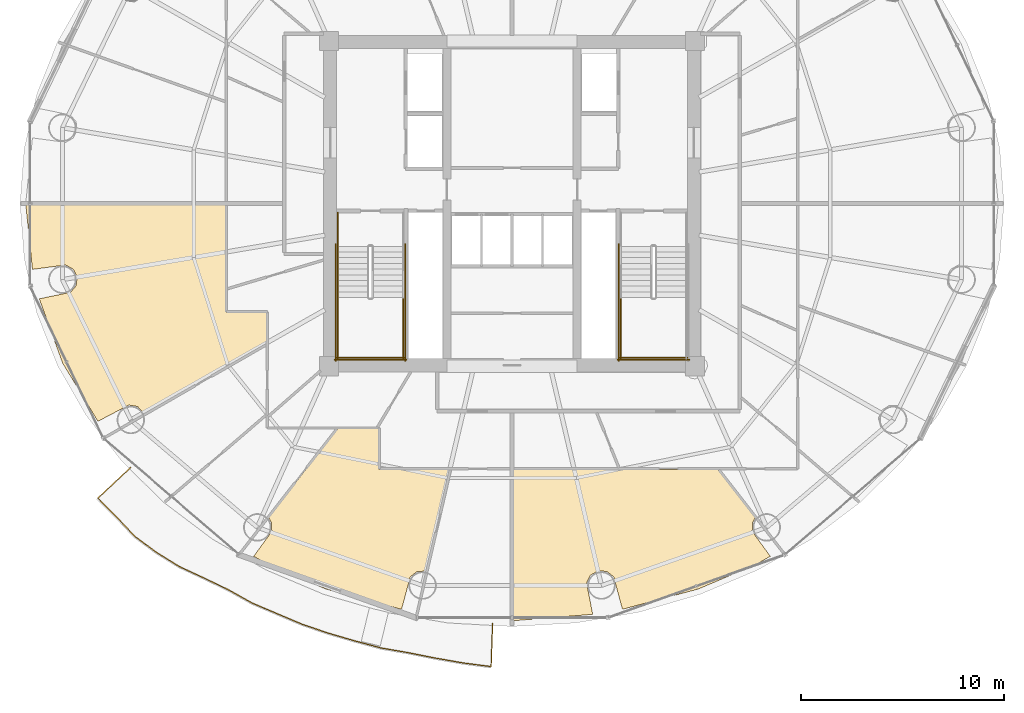
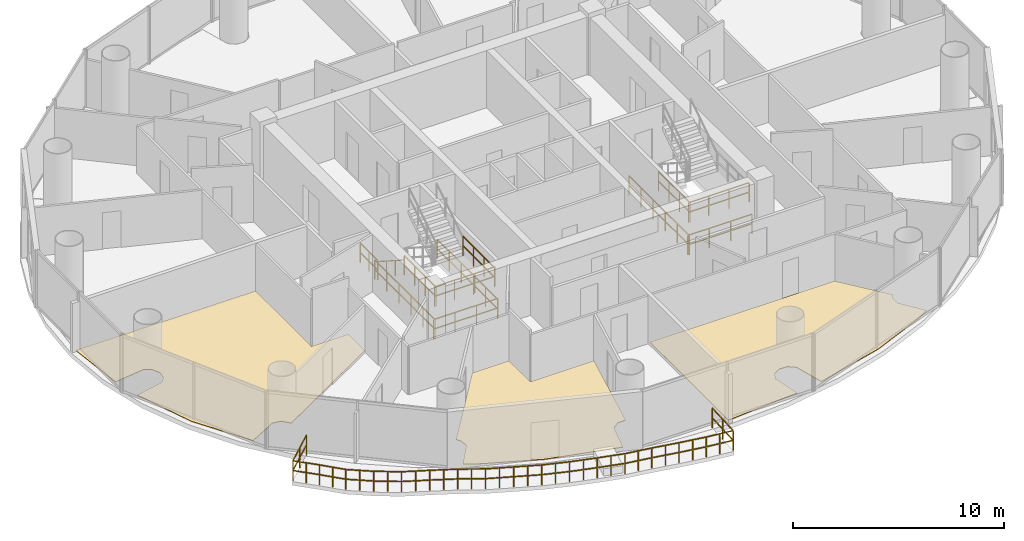
# One storey, part 25 of 27: 13 railings, 3 coverings.
"""IFC4 building model written with IfcOpenShell, lengths in metres."""

from ifc_helpers import new_model, si_unit, direction, frame, origin, origin_2d, place, context, subcontext, project, spatial, polyline, rectangle, outline, extrude, material, layer, layer_set, type_object, element, save


model = new_model("IFC4")

# Units and contexts
model_context = context("Model", 3, precision=1e-05, world=origin(), true_north=direction((-0.2419218956, 0.970295726276)))
body_context = subcontext(model_context, "Body", "Model", "MODEL_VIEW")
ifc_project = project(units=[si_unit("LENGTHUNIT", "METRE"), si_unit("AREAUNIT", "SQUARE_METRE"), si_unit("VOLUMEUNIT", "CUBIC_METRE"), si_unit("PLANEANGLEUNIT", "RADIAN"), si_unit("MASSUNIT", "GRAM", prefix="KILO")], contexts=[model_context])

# Site, building, storey
site_placement = place(None, origin())
site = spatial("IfcSite", under=ifc_project, at=site_placement, CompositionType="ELEMENT")
building_placement = place(site_placement, origin())
building = spatial("IfcBuilding", under=site, at=building_placement, Name="Cobrevalo Terracotta Tower", CompositionType="ELEMENT")
storey_placement = place(building_placement, frame((0.0, 0.0, 157.0)))
storey = spatial("IfcBuildingStorey", under=building, at=storey_placement, Name="L41", CompositionType="ELEMENT", Elevation=157.0)

# Railing
ifc_material_1 = material(Name="Laminated structural glass and stainless steel", Category="steel")
railing_type_1 = type_object("IfcRailingType", Name="Balcony lobe structural glass & terracotta-cap balustrade 1180 mm", PredefinedType="BALUSTRADE", material=ifc_material_1)
railing_1_placement = place(storey_placement, frame((19.2451171875, 13.826416015625, 0.0)))
element("IfcRailing", 1, at=railing_1_placement, inside=storey, type_object=railing_type_1, Name="L41 spiralling balcony lobe balustrade 2", PredefinedType="BALUSTRADE", context=body_context, shape_type="SweptSolid", body=[
    extrude(rectangle(XDim=0.048095703125, YDim=0.048095703125, at=origin_2d()), frame((0.0, 0.0, 1.15576171875), z_axis=(-0.730170166778, -0.683265341977, 0.0), x_axis=(0.683265341977, -0.730170166778, 0.0)), (0.0, 0.0, 1.0), 2.212158203125),
    extrude(rectangle(XDim=0.048095703125, YDim=0.048095703125, at=origin_2d()), frame((0.0, 0.0, 0.58984375), z_axis=(-0.730170166778, -0.683265341977, 0.0), x_axis=(0.683265341977, -0.730170166778, 0.0)), (0.0, 0.0, 1.0), 2.212158203125),
    extrude(rectangle(XDim=0.048095703125, YDim=0.048095703125, at=origin_2d()), frame((-1.615234375, -1.511474609375, 1.15576171875), z_axis=(0.705047169054, -0.70916041162, 0.0), x_axis=(0.70916041162, 0.705047169054, 0.0)), (0.0, 0.0, 1.0), 1.305908203125),
    extrude(rectangle(XDim=0.048095703125, YDim=0.048095703125, at=origin_2d()), frame((-1.615234375, -1.511474609375, 0.58984375), z_axis=(0.705047169054, -0.70916041162, 0.0), x_axis=(0.70916041162, 0.705047169054, 0.0)), (0.0, 0.0, 1.0), 1.305908203125),
    extrude(rectangle(XDim=0.048095703125, YDim=0.048095703125, at=origin_2d()), frame((-0.694580078125, -2.4375, 1.15576171875), z_axis=(0.683513075668, -0.729938268205, 0.0), x_axis=(0.729938268205, 0.683513075668, 0.0)), (0.0, 0.0, 1.0), 1.309326171875),
    extrude(rectangle(XDim=0.048095703125, YDim=0.048095703125, at=origin_2d()), frame((-0.694580078125, -2.4375, 0.58984375), z_axis=(0.683513075668, -0.729938268205, 0.0), x_axis=(0.729938268205, 0.683513075668, 0.0)), (0.0, 0.0, 1.0), 1.309326171875),
    extrude(rectangle(XDim=0.048095703125, YDim=0.048095703125, at=origin_2d()), frame((0.200439453125, -3.393310546875, 1.15576171875), z_axis=(0.804801811823, -0.593543632504, 0.0), x_axis=(0.593543632504, 0.804801811823, 0.0)), (0.0, 0.0, 1.0), 1.3291015625),
    extrude(rectangle(XDim=0.048095703125, YDim=0.048095703125, at=origin_2d()), frame((0.200439453125, -3.393310546875, 0.58984375), z_axis=(0.804801811823, -0.593543632504, 0.0), x_axis=(0.593543632504, 0.804801811823, 0.0)), (0.0, 0.0, 1.0), 1.3291015625),
    extrude(rectangle(XDim=0.048095703125, YDim=0.048095703125, at=origin_2d()), frame((1.27001953125, -4.18212890625, 1.15576171875), z_axis=(0.850037741039, -0.526721785014, 0.0), x_axis=(0.526721785014, 0.850037741039, 0.0)), (0.0, 0.0, 1.0), 1.327392578125),
    extrude(rectangle(XDim=0.048095703125, YDim=0.048095703125, at=origin_2d()), frame((1.27001953125, -4.18212890625, 0.58984375), z_axis=(0.850037741039, -0.526721785014, 0.0), x_axis=(0.526721785014, 0.850037741039, 0.0)), (0.0, 0.0, 1.0), 1.327392578125),
    extrude(rectangle(XDim=0.048095703125, YDim=0.048095703125, at=origin_2d()), frame((2.3984375, -4.88134765625, 1.15576171875), z_axis=(0.907285131337, -0.420515981211, 0.0), x_axis=(0.420515981211, 0.907285131337, 0.0)), (0.0, 0.0, 1.0), 1.337646484375),
    extrude(rectangle(XDim=0.048095703125, YDim=0.048095703125, at=origin_2d()), frame((2.3984375, -4.88134765625, 0.58984375), z_axis=(0.907285131337, -0.420515981211, 0.0), x_axis=(0.420515981211, 0.907285131337, 0.0)), (0.0, 0.0, 1.0), 1.337646484375),
    extrude(rectangle(XDim=0.048095703125, YDim=0.048095703125, at=origin_2d()), frame((3.612060546875, -5.44384765625, 1.15576171875), z_axis=(0.900645680378, -0.434554206534, 0.0), x_axis=(0.434554206534, 0.900645680378, 0.0)), (0.0, 0.0, 1.0), 1.33154296875),
    extrude(rectangle(XDim=0.048095703125, YDim=0.048095703125, at=origin_2d()), frame((3.612060546875, -5.44384765625, 0.58984375), z_axis=(0.900645680378, -0.434554206534, 0.0), x_axis=(0.434554206534, 0.900645680378, 0.0)), (0.0, 0.0, 1.0), 1.33154296875),
    extrude(rectangle(XDim=0.048095703125, YDim=0.048095703125, at=origin_2d()), frame((4.811279296875, -6.0224609375, 1.15576171875), z_axis=(0.872823376022, -0.488036222292, 0.0), x_axis=(0.488036222292, 0.872823376022, 0.0)), (0.0, 0.0, 1.0), 1.32421875),
    extrude(rectangle(XDim=0.048095703125, YDim=0.048095703125, at=origin_2d()), frame((4.811279296875, -6.0224609375, 0.58984375), z_axis=(0.872823376022, -0.488036222292, 0.0), x_axis=(0.488036222292, 0.872823376022, 0.0)), (0.0, 0.0, 1.0), 1.32421875),
    extrude(rectangle(XDim=0.048095703125, YDim=0.048095703125, at=origin_2d()), frame((5.967041015625, -6.668701171875, 1.15576171875), z_axis=(0.920017905758, -0.39187632371, 0.0), x_axis=(0.39187632371, 0.920017905758, 0.0)), (0.0, 0.0, 1.0), 1.342041015625),
    extrude(rectangle(XDim=0.048095703125, YDim=0.048095703125, at=origin_2d()), frame((5.967041015625, -6.668701171875, 0.58984375), z_axis=(0.920017905758, -0.39187632371, 0.0), x_axis=(0.39187632371, 0.920017905758, 0.0)), (0.0, 0.0, 1.0), 1.342041015625),
    extrude(rectangle(XDim=0.048095703125, YDim=0.048095703125, at=origin_2d()), frame((7.20166015625, -7.194580078125, 1.15576171875), z_axis=(0.9212510115, -0.388968602602, 0.0), x_axis=(0.388968602602, 0.9212510115, 0.0)), (0.0, 0.0, 1.0), 1.340576171875),
    extrude(rectangle(XDim=0.048095703125, YDim=0.048095703125, at=origin_2d()), frame((7.20166015625, -7.194580078125, 0.58984375), z_axis=(0.9212510115, -0.388968602602, 0.0), x_axis=(0.388968602602, 0.9212510115, 0.0)), (0.0, 0.0, 1.0), 1.340576171875),
    extrude(rectangle(XDim=0.048095703125, YDim=0.048095703125, at=origin_2d()), frame((8.436767578125, -7.716064453125, 1.15576171875), z_axis=(0.946634617273, -0.322308705096, 0.0), x_axis=(0.322308705096, 0.946634617273, 0.0)), (0.0, 0.0, 1.0), 1.34765625),
    extrude(rectangle(XDim=0.048095703125, YDim=0.048095703125, at=origin_2d()), frame((8.436767578125, -7.716064453125, 0.58984375), z_axis=(0.946634617273, -0.322308705096, 0.0), x_axis=(0.322308705096, 0.946634617273, 0.0)), (0.0, 0.0, 1.0), 1.34765625),
    extrude(rectangle(XDim=0.048095703125, YDim=0.048095703125, at=origin_2d()), frame((9.71240234375, -8.150390625, 1.15576171875), z_axis=(0.959937409811, -0.280214505774, 0.0), x_axis=(0.280214505774, 0.959937409811, 0.0)), (0.0, 0.0, 1.0), 1.354736328125),
    extrude(rectangle(XDim=0.048095703125, YDim=0.048095703125, at=origin_2d()), frame((9.71240234375, -8.150390625, 0.58984375), z_axis=(0.959937409811, -0.280214505774, 0.0), x_axis=(0.280214505774, 0.959937409811, 0.0)), (0.0, 0.0, 1.0), 1.354736328125),
    extrude(rectangle(XDim=0.048095703125, YDim=0.048095703125, at=origin_2d()), frame((11.012939453125, -8.530029296875, 1.15576171875), z_axis=(0.965549609931, -0.260219043811, 0.0), x_axis=(0.260219043811, 0.965549609931, 0.0)), (0.0, 0.0, 1.0), 1.354736328125),
    extrude(rectangle(XDim=0.048095703125, YDim=0.048095703125, at=origin_2d()), frame((11.012939453125, -8.530029296875, 0.58984375), z_axis=(0.965549609931, -0.260219043811, 0.0), x_axis=(0.260219043811, 0.965549609931, 0.0)), (0.0, 0.0, 1.0), 1.354736328125),
    extrude(rectangle(XDim=0.048095703125, YDim=0.048095703125, at=origin_2d()), frame((12.321044921875, -8.882568359375, 1.15576171875), z_axis=(0.985474576909, -0.169823020426, 0.0), x_axis=(0.169823020426, 0.985474576909, 0.0)), (0.0, 0.0, 1.0), 1.3642578125),
    extrude(rectangle(XDim=0.048095703125, YDim=0.048095703125, at=origin_2d()), frame((12.321044921875, -8.882568359375, 0.58984375), z_axis=(0.985474576909, -0.169823020426, 0.0), x_axis=(0.169823020426, 0.985474576909, 0.0)), (0.0, 0.0, 1.0), 1.3642578125),
    extrude(rectangle(XDim=0.048095703125, YDim=0.048095703125, at=origin_2d()), frame((13.66552734375, -9.1142578125, 1.15576171875), z_axis=(0.980635617848, -0.195841223973, 0.0), x_axis=(0.195841223973, 0.980635617848, 0.0)), (0.0, 0.0, 1.0), 1.3662109375),
    extrude(rectangle(XDim=0.048095703125, YDim=0.048095703125, at=origin_2d()), frame((13.66552734375, -9.1142578125, 0.58984375), z_axis=(0.980635617848, -0.195841223973, 0.0), x_axis=(0.195841223973, 0.980635617848, 0.0)), (0.0, 0.0, 1.0), 1.3662109375),
    extrude(rectangle(XDim=0.048095703125, YDim=0.048095703125, at=origin_2d()), frame((15.00537109375, -9.3818359375, 1.15576171875), z_axis=(0.984935259295, -0.17292349464, 0.0), x_axis=(0.17292349464, 0.984935259295, 0.0)), (0.0, 0.0, 1.0), 1.373779296875),
    extrude(rectangle(XDim=0.048095703125, YDim=0.048095703125, at=origin_2d()), frame((15.00537109375, -9.3818359375, 0.58984375), z_axis=(0.984935259295, -0.17292349464, 0.0), x_axis=(0.17292349464, 0.984935259295, 0.0)), (0.0, 0.0, 1.0), 1.373779296875),
    extrude(rectangle(XDim=0.048095703125, YDim=0.048095703125, at=origin_2d()), frame((16.3583984375, -9.619384765625, 1.15576171875), z_axis=(0.991674124322, -0.128772788855, 0.0), x_axis=(0.128772788855, 0.991674124322, 0.0)), (0.0, 0.0, 1.0), 1.382080078125),
    extrude(rectangle(XDim=0.048095703125, YDim=0.048095703125, at=origin_2d()), frame((16.3583984375, -9.619384765625, 0.58984375), z_axis=(0.991674124322, -0.128772788855, 0.0), x_axis=(0.128772788855, 0.991674124322, 0.0)), (0.0, 0.0, 1.0), 1.382080078125),
    extrude(rectangle(XDim=0.048095703125, YDim=0.048095703125, at=origin_2d()), frame((17.72900390625, -9.79736328125, 1.15576171875), z_axis=(0.03415231186, 0.999416639643, 0.0), x_axis=(-0.999416639643, 0.03415231186, 0.0)), (0.0, 0.0, 1.0), 2.115966796875),
    extrude(rectangle(XDim=0.048095703125, YDim=0.048095703125, at=origin_2d()), frame((17.72900390625, -9.79736328125, 0.58984375), z_axis=(0.03415231186, 0.999416639643, 0.0), x_axis=(-0.999416639643, 0.03415231186, 0.0)), (0.0, 0.0, 1.0), 2.115966796875),
    extrude(rectangle(XDim=0.0419921875, YDim=0.0419921875, at=origin_2d()), origin(), (0.0, 0.0, 1.0), 1.1318359375),
    extrude(rectangle(XDim=0.0419921875, YDim=0.0419921875, at=origin_2d()), frame((-0.8076171875, -0.755859375, 0.0)), (0.0, 0.0, 1.0), 1.1318359375),
    extrude(rectangle(XDim=0.0419921875, YDim=0.0419921875, at=origin_2d()), frame((-1.615234375, -1.511474609375, 0.0)), (0.0, 0.0, 1.0), 1.1318359375),
    extrude(rectangle(XDim=0.0419921875, YDim=0.0419921875, at=origin_2d()), frame((-1.15478515625, -1.974609375, 0.0)), (0.0, 0.0, 1.0), 1.1318359375),
    extrude(rectangle(XDim=0.0419921875, YDim=0.0419921875, at=origin_2d()), frame((-0.694580078125, -2.4375, 0.0)), (0.0, 0.0, 1.0), 1.1318359375),
    extrude(rectangle(XDim=0.0419921875, YDim=0.0419921875, at=origin_2d()), frame((-0.2470703125, -2.91552734375, 0.0)), (0.0, 0.0, 1.0), 1.1318359375),
    extrude(rectangle(XDim=0.0419921875, YDim=0.0419921875, at=origin_2d()), frame((0.200439453125, -3.393310546875, 0.0)), (0.0, 0.0, 1.0), 1.1318359375),
    extrude(rectangle(XDim=0.0419921875, YDim=0.0419921875, at=origin_2d()), frame((0.7353515625, -3.78759765625, 0.0)), (0.0, 0.0, 1.0), 1.1318359375),
    extrude(rectangle(XDim=0.0419921875, YDim=0.0419921875, at=origin_2d()), frame((1.27001953125, -4.18212890625, 0.0)), (0.0, 0.0, 1.0), 1.1318359375),
    extrude(rectangle(XDim=0.0419921875, YDim=0.0419921875, at=origin_2d()), frame((1.834228515625, -4.53173828125, 0.0)), (0.0, 0.0, 1.0), 1.1318359375),
    extrude(rectangle(XDim=0.0419921875, YDim=0.0419921875, at=origin_2d()), frame((2.3984375, -4.88134765625, 0.0)), (0.0, 0.0, 1.0), 1.1318359375),
    extrude(rectangle(XDim=0.0419921875, YDim=0.0419921875, at=origin_2d()), frame((3.00537109375, -5.16259765625, 0.0)), (0.0, 0.0, 1.0), 1.1318359375),
    extrude(rectangle(XDim=0.0419921875, YDim=0.0419921875, at=origin_2d()), frame((3.612060546875, -5.44384765625, 0.0)), (0.0, 0.0, 1.0), 1.1318359375),
    extrude(rectangle(XDim=0.0419921875, YDim=0.0419921875, at=origin_2d()), frame((4.211669921875, -5.733154296875, 0.0)), (0.0, 0.0, 1.0), 1.1318359375),
    extrude(rectangle(XDim=0.0419921875, YDim=0.0419921875, at=origin_2d()), frame((4.811279296875, -6.0224609375, 0.0)), (0.0, 0.0, 1.0), 1.1318359375),
    extrude(rectangle(XDim=0.0419921875, YDim=0.0419921875, at=origin_2d()), frame((5.38916015625, -6.345703125, 0.0)), (0.0, 0.0, 1.0), 1.1318359375),
    extrude(rectangle(XDim=0.0419921875, YDim=0.0419921875, at=origin_2d()), frame((5.967041015625, -6.668701171875, 0.0)), (0.0, 0.0, 1.0), 1.1318359375),
    extrude(rectangle(XDim=0.0419921875, YDim=0.0419921875, at=origin_2d()), frame((6.58447265625, -6.931640625, 0.0)), (0.0, 0.0, 1.0), 1.1318359375),
    extrude(rectangle(XDim=0.0419921875, YDim=0.0419921875, at=origin_2d()), frame((7.20166015625, -7.194580078125, 0.0)), (0.0, 0.0, 1.0), 1.1318359375),
    extrude(rectangle(XDim=0.0419921875, YDim=0.0419921875, at=origin_2d()), frame((7.8193359375, -7.455322265625, 0.0)), (0.0, 0.0, 1.0), 1.1318359375),
    extrude(rectangle(XDim=0.0419921875, YDim=0.0419921875, at=origin_2d()), frame((8.436767578125, -7.716064453125, 0.0)), (0.0, 0.0, 1.0), 1.1318359375),
    extrude(rectangle(XDim=0.0419921875, YDim=0.0419921875, at=origin_2d()), frame((9.07470703125, -7.93310546875, 0.0)), (0.0, 0.0, 1.0), 1.1318359375),
    extrude(rectangle(XDim=0.0419921875, YDim=0.0419921875, at=origin_2d()), frame((9.71240234375, -8.150390625, 0.0)), (0.0, 0.0, 1.0), 1.1318359375),
    extrude(rectangle(XDim=0.0419921875, YDim=0.0419921875, at=origin_2d()), frame((10.36279296875, -8.34033203125, 0.0)), (0.0, 0.0, 1.0), 1.1318359375),
    extrude(rectangle(XDim=0.0419921875, YDim=0.0419921875, at=origin_2d()), frame((11.012939453125, -8.530029296875, 0.0)), (0.0, 0.0, 1.0), 1.1318359375),
    extrude(rectangle(XDim=0.0419921875, YDim=0.0419921875, at=origin_2d()), frame((11.6669921875, -8.706298828125, 0.0)), (0.0, 0.0, 1.0), 1.1318359375),
    extrude(rectangle(XDim=0.0419921875, YDim=0.0419921875, at=origin_2d()), frame((12.321044921875, -8.882568359375, 0.0)), (0.0, 0.0, 1.0), 1.1318359375),
    extrude(rectangle(XDim=0.0419921875, YDim=0.0419921875, at=origin_2d()), frame((12.9931640625, -8.99853515625, 0.0)), (0.0, 0.0, 1.0), 1.1318359375),
    extrude(rectangle(XDim=0.0419921875, YDim=0.0419921875, at=origin_2d()), frame((13.66552734375, -9.1142578125, 0.0)), (0.0, 0.0, 1.0), 1.1318359375),
    extrude(rectangle(XDim=0.0419921875, YDim=0.0419921875, at=origin_2d()), frame((14.33544921875, -9.248046875, 0.0)), (0.0, 0.0, 1.0), 1.1318359375),
    extrude(rectangle(XDim=0.0419921875, YDim=0.0419921875, at=origin_2d()), frame((15.00537109375, -9.3818359375, 0.0)), (0.0, 0.0, 1.0), 1.1318359375),
    extrude(rectangle(XDim=0.0419921875, YDim=0.0419921875, at=origin_2d()), frame((15.681884765625, -9.50048828125, 0.0)), (0.0, 0.0, 1.0), 1.1318359375),
    extrude(rectangle(XDim=0.0419921875, YDim=0.0419921875, at=origin_2d()), frame((16.3583984375, -9.619384765625, 0.0)), (0.0, 0.0, 1.0), 1.1318359375),
    extrude(rectangle(XDim=0.0419921875, YDim=0.0419921875, at=origin_2d()), frame((17.043701171875, -9.70849609375, 0.0)), (0.0, 0.0, 1.0), 1.1318359375),
    extrude(rectangle(XDim=0.0419921875, YDim=0.0419921875, at=origin_2d()), frame((17.72900390625, -9.79736328125, 0.0)), (0.0, 0.0, 1.0), 1.1318359375),
    extrude(rectangle(XDim=0.0419921875, YDim=0.0419921875, at=origin_2d()), frame((17.76513671875, -8.739990234375, 0.0)), (0.0, 0.0, 1.0), 1.1318359375),
    extrude(rectangle(XDim=0.0419921875, YDim=0.0419921875, at=origin_2d()), frame((17.80126953125, -7.6826171875, 0.0)), (0.0, 0.0, 1.0), 1.1318359375),
])

# Coverings
ifc_material_2 = material(Name="Engineered Brazilian hardwood flooring", Category="wood")
ifc_layer = layer(ifc_material_2, 0.028076171875)
ifc_layer_set = layer_set([ifc_layer], Name="Engineered Brazilian hardwood flooring")
covering_type = type_object("IfcCoveringType", Name="Engineered Hardwood Suite Flooring 28", PredefinedType="FLOORING", material=ifc_layer_set)
covering_1_placement = place(storey_placement, origin())
element("IfcCovering", 2, at=covering_1_placement, inside=storey, type_object=covering_type, Name="Flat L41C Penthouse Living and Dining Room floor finish", PredefinedType="FLOORING", context=body_context, shape_type="SweptSolid", body=[
    extrude(outline(polyline([(15.900390625, 18.948486328125), (14.748291015625, 22.121826171875), (16.2763671875, 22.43701171875), (16.55859375, 22.760986328125), (16.613037109375, 23.187255859375), (16.421630859375, 23.572021484375), (16.048583984375, 23.785400390625), (14.41357421875, 23.566162109375), (14.08154296875, 26.780029296875), (23.93505859375, 26.780029296875), (23.93505859375, 21.4599609375), (25.945068359375, 21.4599609375), (25.945068359375, 19.89990234375), (19.929931640625, 16.4453125), (19.582763671875, 16.822021484375), (19.1591796875, 16.895263671875), (17.632568359375, 16.09375), (15.900390625, 18.948486328125)])), origin(), (0.0, 0.0, 1.0), 0.030029296875),
])
covering_2_placement = place(storey_placement, origin())
element("IfcCovering", 3, at=covering_2_placement, inside=storey, type_object=covering_type, Name="Flat L41C Principal Guest Bedroom floor finish", PredefinedType="FLOORING", context=body_context, shape_type="SweptSolid", body=[
    extrude(outline(polyline([(26.038818359375, 9.02978515625), (25.295166015625, 9.4560546875), (26.184326171875, 10.67724609375), (26.175537109375, 11.106689453125), (26.02490234375, 11.363525390625), (29.43115234375, 15.7451171875), (31.4599609375, 15.7451171875), (31.4599609375, 13.735107421875), (34.955810546875, 13.735107421875), (33.796630859375, 8.72607421875), (33.3408203125, 8.7109375), (32.99951171875, 8.44970703125), (32.567138671875, 6.849853515625), (28.84521484375, 7.84228515625), (26.038818359375, 9.02978515625)])), origin(), (0.0, 0.0, 1.0), 0.030029296875),
])
covering_3_placement = place(storey_placement, origin())
element("IfcCovering", 4, at=covering_3_placement, inside=storey, type_object=covering_type, Name="Flat L41D Living and Dining Room floor finish", PredefinedType="FLOORING", context=body_context, shape_type="SweptSolid", body=[
    extrude(outline(polyline([(47.15478515625, 7.84228515625), (43.432861328125, 6.849853515625), (43.00048828125, 8.44970703125), (42.6591796875, 8.7109375), (42.23046875, 8.738525390625), (41.858642578125, 8.5234375), (41.6689453125, 8.1376953125), (41.97119140625, 6.6005859375), (38.02001953125, 6.28125), (38.02001953125, 13.735107421875), (48.13134765625, 13.735107421875), (49.97509765625, 11.363525390625), (49.824462890625, 11.106689453125), (49.815673828125, 10.67724609375), (50.704833984375, 9.4560546875), (49.961181640625, 9.02978515625), (47.15478515625, 7.84228515625)])), origin(), (0.0, 0.0, 1.0), 0.030029296875),
])

# Railings
ifc_material_3 = material(Name="Brushed stainless steel", Category="steel")
railing_type_2 = type_object("IfcRailingType", Name="Stainless Steel Stair Handrail 900", PredefinedType="HANDRAIL", material=ifc_material_3)
railing_2_placement = place(storey_placement, frame((29.425048828125, 24.699951171875, 0.179931640625)))
element("IfcRailing", 5, at=railing_2_placement, inside=storey, type_object=railing_type_2, Name="L41 ST-1 stair handrail 1", PredefinedType="HANDRAIL", context=body_context, shape_type="SweptSolid", body=[
    extrude(rectangle(XDim=0.048095703125, YDim=0.048095703125, at=origin_2d()), frame((0.0, 0.0, 0.8759765625), z_axis=(0.0, -0.841162588446, 0.540782303519), x_axis=(1.0, 0.0, 0.0)), (0.0, 0.0, 1.0), 2.995849609375),
    extrude(rectangle(XDim=0.0419921875, YDim=0.0419921875, at=origin_2d()), origin(), (0.0, 0.0, 1.0), 0.851806640625),
    extrude(rectangle(XDim=0.0419921875, YDim=0.0419921875, at=origin_2d()), frame((0.0, -0.840087890625, 0.5400390625)), (0.0, 0.0, 1.0), 0.851806640625),
    extrude(rectangle(XDim=0.0419921875, YDim=0.0419921875, at=origin_2d()), frame((0.0, -1.679931640625, 1.080078125)), (0.0, 0.0, 1.0), 0.851806640625),
    extrude(rectangle(XDim=0.0419921875, YDim=0.0419921875, at=origin_2d()), frame((0.0, -2.52001953125, 1.6201171875)), (0.0, 0.0, 1.0), 0.851806640625),
])
ifc_material_4 = material(Name="Painted galvanized steel", Category="steel")
railing_type_3 = type_object("IfcRailingType", Name="Stair Well Guard Balustrade 1150", PredefinedType="GUARDRAIL", material=ifc_material_4)
for number, where, name in (
    (6, (29.425048828125, 22.179931640625, 1.800048828125), "L41 ST-1 stair guard 3"),
    (7, (32.64501953125, 22.179931640625, 1.800048828125), "L41 ST-1 stair guard 4"),
):
    element("IfcRailing", number, at=place(storey_placement, frame(where)), inside=storey, type_object=railing_type_3, Name=name, PredefinedType="GUARDRAIL", context=body_context, shape_type="SweptSolid", body=[
        extrude(rectangle(XDim=0.048095703125, YDim=0.048095703125, at=origin_2d()), frame((0.0, 0.0, 1.1259765625), z_axis=(0.0, -1.0, 0.0), x_axis=(1.0, 0.0, 0.0)), (0.0, 0.0, 1.0), 3.0048828125),
        extrude(rectangle(XDim=0.048095703125, YDim=0.048095703125, at=origin_2d()), frame((0.0, 0.0, 0.574951171875), z_axis=(0.0, -1.0, 0.0), x_axis=(1.0, 0.0, 0.0)), (0.0, 0.0, 1.0), 3.0048828125),
        extrude(rectangle(XDim=0.0419921875, YDim=0.0419921875, at=origin_2d()), origin(), (0.0, 0.0, 1.0), 1.101806640625),
        extrude(rectangle(XDim=0.0419921875, YDim=0.0419921875, at=origin_2d()), frame((0.0, -1.001708984375, 0.0)), (0.0, 0.0, 1.0), 1.101806640625),
        extrude(rectangle(XDim=0.0419921875, YDim=0.0419921875, at=origin_2d()), frame((0.0, -2.003173828125, 0.0)), (0.0, 0.0, 1.0), 1.101806640625),
        extrude(rectangle(XDim=0.0419921875, YDim=0.0419921875, at=origin_2d()), frame((0.0, -3.0048828125, 0.0)), (0.0, 0.0, 1.0), 1.101806640625),
    ])
railing_3_placement = place(storey_placement, frame((29.375, 19.22509765625, 1.800048828125)))
element("IfcRailing", 8, at=railing_3_placement, inside=storey, type_object=railing_type_3, Name="L41 ST-1 stair guard 5", PredefinedType="GUARDRAIL", context=body_context, shape_type="SweptSolid", body=[
    extrude(rectangle(XDim=0.048095703125, YDim=0.048095703125, at=origin_2d()), frame((0.0, 0.0, 1.1259765625), z_axis=(1.0, 0.0, 0.0), x_axis=(0.0, 1.0, 0.0)), (0.0, 0.0, 1.0), 3.320068359375),
    extrude(rectangle(XDim=0.048095703125, YDim=0.048095703125, at=origin_2d()), frame((0.0, 0.0, 0.574951171875), z_axis=(1.0, 0.0, 0.0), x_axis=(0.0, 1.0, 0.0)), (0.0, 0.0, 1.0), 3.320068359375),
    extrude(rectangle(XDim=0.0419921875, YDim=0.0419921875, at=origin_2d()), origin(), (0.0, 0.0, 1.0), 1.101806640625),
    extrude(rectangle(XDim=0.0419921875, YDim=0.0419921875, at=origin_2d()), frame((1.106689453125, 0.0, 0.0)), (0.0, 0.0, 1.0), 1.101806640625),
    extrude(rectangle(XDim=0.0419921875, YDim=0.0419921875, at=origin_2d()), frame((2.21337890625, 0.0, 0.0)), (0.0, 0.0, 1.0), 1.101806640625),
    extrude(rectangle(XDim=0.0419921875, YDim=0.0419921875, at=origin_2d()), frame((3.320068359375, 0.0, 0.0)), (0.0, 0.0, 1.0), 1.101806640625),
])
railing_4_placement = place(storey_placement, frame((29.425048828125, 26.35009765625, 0.0)))
element("IfcRailing", 9, at=railing_4_placement, inside=storey, type_object=railing_type_3, Name="L41 ST-1 stair guard 8", PredefinedType="GUARDRAIL", context=body_context, shape_type="SweptSolid", body=[
    extrude(rectangle(XDim=0.048095703125, YDim=0.048095703125, at=origin_2d()), frame((0.0, 0.0, 1.1259765625), z_axis=(0.0, -1.0, 0.0), x_axis=(1.0, 0.0, 0.0)), (0.0, 0.0, 1.0), 1.650146484375),
    extrude(rectangle(XDim=0.048095703125, YDim=0.048095703125, at=origin_2d()), frame((0.0, 0.0, 0.574951171875), z_axis=(0.0, -1.0, 0.0), x_axis=(1.0, 0.0, 0.0)), (0.0, 0.0, 1.0), 1.650146484375),
    extrude(rectangle(XDim=0.0419921875, YDim=0.0419921875, at=origin_2d()), origin(), (0.0, 0.0, 1.0), 1.101806640625),
    extrude(rectangle(XDim=0.0419921875, YDim=0.0419921875, at=origin_2d()), frame((0.0, -0.8251953125, 0.0)), (0.0, 0.0, 1.0), 1.101806640625),
    extrude(rectangle(XDim=0.0419921875, YDim=0.0419921875, at=origin_2d()), frame((0.0, -1.650146484375, 0.0)), (0.0, 0.0, 1.0), 1.101806640625),
])
for number, where, name in (
    (10, (29.324951171875, 24.800048828125, 0.0), "L41 ST-1 stair guard 10"),
    (11, (32.7451171875, 24.800048828125, 0.0), "L41 ST-1 stair guard 11"),
):
    element("IfcRailing", number, at=place(storey_placement, frame(where)), inside=storey, type_object=railing_type_3, Name=name, PredefinedType="GUARDRAIL", context=body_context, shape_type="SweptSolid", body=[
        extrude(rectangle(XDim=0.048095703125, YDim=0.048095703125, at=origin_2d()), frame((0.0, 0.0, 1.1259765625), z_axis=(0.0, -1.0, 0.0), x_axis=(1.0, 0.0, 0.0)), (0.0, 0.0, 1.0), 5.72509765625),
        extrude(rectangle(XDim=0.048095703125, YDim=0.048095703125, at=origin_2d()), frame((0.0, 0.0, 0.574951171875), z_axis=(0.0, -1.0, 0.0), x_axis=(1.0, 0.0, 0.0)), (0.0, 0.0, 1.0), 5.72509765625),
        extrude(rectangle(XDim=0.0419921875, YDim=0.0419921875, at=origin_2d()), origin(), (0.0, 0.0, 1.0), 1.101806640625),
        extrude(rectangle(XDim=0.0419921875, YDim=0.0419921875, at=origin_2d()), frame((0.0, -1.14501953125, 0.0)), (0.0, 0.0, 1.0), 1.101806640625),
        extrude(rectangle(XDim=0.0419921875, YDim=0.0419921875, at=origin_2d()), frame((0.0, -2.2900390625, 0.0)), (0.0, 0.0, 1.0), 1.101806640625),
        extrude(rectangle(XDim=0.0419921875, YDim=0.0419921875, at=origin_2d()), frame((0.0, -3.43505859375, 0.0)), (0.0, 0.0, 1.0), 1.101806640625),
        extrude(rectangle(XDim=0.0419921875, YDim=0.0419921875, at=origin_2d()), frame((0.0, -4.580078125, 0.0)), (0.0, 0.0, 1.0), 1.101806640625),
        extrude(rectangle(XDim=0.0419921875, YDim=0.0419921875, at=origin_2d()), frame((0.0, -5.72509765625, 0.0)), (0.0, 0.0, 1.0), 1.101806640625),
    ])
railing_5_placement = place(storey_placement, frame((29.27490234375, 19.125, 0.0)))
element("IfcRailing", 12, at=railing_5_placement, inside=storey, type_object=railing_type_3, Name="L41 ST-1 stair guard 12", PredefinedType="GUARDRAIL", context=body_context, shape_type="SweptSolid", body=[
    extrude(rectangle(XDim=0.048095703125, YDim=0.048095703125, at=origin_2d()), frame((0.0, 0.0, 1.1259765625), z_axis=(1.0, 0.0, 0.0), x_axis=(0.0, 1.0, 0.0)), (0.0, 0.0, 1.0), 3.52001953125),
    extrude(rectangle(XDim=0.048095703125, YDim=0.048095703125, at=origin_2d()), frame((0.0, 0.0, 0.574951171875), z_axis=(1.0, 0.0, 0.0), x_axis=(0.0, 1.0, 0.0)), (0.0, 0.0, 1.0), 3.52001953125),
    extrude(rectangle(XDim=0.0419921875, YDim=0.0419921875, at=origin_2d()), origin(), (0.0, 0.0, 1.0), 1.101806640625),
    extrude(rectangle(XDim=0.0419921875, YDim=0.0419921875, at=origin_2d()), frame((1.17333984375, 0.0, 0.0)), (0.0, 0.0, 1.0), 1.101806640625),
    extrude(rectangle(XDim=0.0419921875, YDim=0.0419921875, at=origin_2d()), frame((2.3466796875, 0.0, 0.0)), (0.0, 0.0, 1.0), 1.101806640625),
    extrude(rectangle(XDim=0.0419921875, YDim=0.0419921875, at=origin_2d()), frame((3.52001953125, 0.0, 0.0)), (0.0, 0.0, 1.0), 1.101806640625),
])
railing_6_placement = place(storey_placement, frame((43.35498046875, 22.179931640625, 1.800048828125)))
element("IfcRailing", 13, at=railing_6_placement, inside=storey, type_object=railing_type_3, Name="L41 ST-2 stair guard 3", PredefinedType="GUARDRAIL", context=body_context, shape_type="SweptSolid", body=[
    extrude(rectangle(XDim=0.048095703125, YDim=0.048095703125, at=origin_2d()), frame((0.0, 0.0, 1.1259765625), z_axis=(0.0, -1.0, 0.0), x_axis=(1.0, 0.0, 0.0)), (0.0, 0.0, 1.0), 3.0048828125),
    extrude(rectangle(XDim=0.048095703125, YDim=0.048095703125, at=origin_2d()), frame((0.0, 0.0, 0.574951171875), z_axis=(0.0, -1.0, 0.0), x_axis=(1.0, 0.0, 0.0)), (0.0, 0.0, 1.0), 3.0048828125),
    extrude(rectangle(XDim=0.0419921875, YDim=0.0419921875, at=origin_2d()), origin(), (0.0, 0.0, 1.0), 1.101806640625),
    extrude(rectangle(XDim=0.0419921875, YDim=0.0419921875, at=origin_2d()), frame((0.0, -1.001708984375, 0.0)), (0.0, 0.0, 1.0), 1.101806640625),
    extrude(rectangle(XDim=0.0419921875, YDim=0.0419921875, at=origin_2d()), frame((0.0, -2.003173828125, 0.0)), (0.0, 0.0, 1.0), 1.101806640625),
    extrude(rectangle(XDim=0.0419921875, YDim=0.0419921875, at=origin_2d()), frame((0.0, -3.0048828125, 0.0)), (0.0, 0.0, 1.0), 1.101806640625),
])
railing_7_placement = place(storey_placement, frame((43.304931640625, 19.22509765625, 1.800048828125)))
element("IfcRailing", 14, at=railing_7_placement, inside=storey, type_object=railing_type_3, Name="L41 ST-2 stair guard 5", PredefinedType="GUARDRAIL", context=body_context, shape_type="SweptSolid", body=[
    extrude(rectangle(XDim=0.048095703125, YDim=0.048095703125, at=origin_2d()), frame((0.0, 0.0, 1.1259765625), z_axis=(1.0, 0.0, 0.0), x_axis=(0.0, 1.0, 0.0)), (0.0, 0.0, 1.0), 3.320068359375),
    extrude(rectangle(XDim=0.048095703125, YDim=0.048095703125, at=origin_2d()), frame((0.0, 0.0, 0.574951171875), z_axis=(1.0, 0.0, 0.0), x_axis=(0.0, 1.0, 0.0)), (0.0, 0.0, 1.0), 3.320068359375),
    extrude(rectangle(XDim=0.0419921875, YDim=0.0419921875, at=origin_2d()), origin(), (0.0, 0.0, 1.0), 1.101806640625),
    extrude(rectangle(XDim=0.0419921875, YDim=0.0419921875, at=origin_2d()), frame((1.106689453125, 0.0, 0.0)), (0.0, 0.0, 1.0), 1.101806640625),
    extrude(rectangle(XDim=0.0419921875, YDim=0.0419921875, at=origin_2d()), frame((2.21337890625, 0.0, 0.0)), (0.0, 0.0, 1.0), 1.101806640625),
    extrude(rectangle(XDim=0.0419921875, YDim=0.0419921875, at=origin_2d()), frame((3.320068359375, 0.0, 0.0)), (0.0, 0.0, 1.0), 1.101806640625),
])
railing_8_placement = place(storey_placement, frame((43.2548828125, 24.800048828125, 0.0)))
element("IfcRailing", 15, at=railing_8_placement, inside=storey, type_object=railing_type_3, Name="L41 ST-2 stair guard 10", PredefinedType="GUARDRAIL", context=body_context, shape_type="SweptSolid", body=[
    extrude(rectangle(XDim=0.048095703125, YDim=0.048095703125, at=origin_2d()), frame((0.0, 0.0, 1.1259765625), z_axis=(0.0, -1.0, 0.0), x_axis=(1.0, 0.0, 0.0)), (0.0, 0.0, 1.0), 5.72509765625),
    extrude(rectangle(XDim=0.048095703125, YDim=0.048095703125, at=origin_2d()), frame((0.0, 0.0, 0.574951171875), z_axis=(0.0, -1.0, 0.0), x_axis=(1.0, 0.0, 0.0)), (0.0, 0.0, 1.0), 5.72509765625),
    extrude(rectangle(XDim=0.0419921875, YDim=0.0419921875, at=origin_2d()), origin(), (0.0, 0.0, 1.0), 1.101806640625),
    extrude(rectangle(XDim=0.0419921875, YDim=0.0419921875, at=origin_2d()), frame((0.0, -1.14501953125, 0.0)), (0.0, 0.0, 1.0), 1.101806640625),
    extrude(rectangle(XDim=0.0419921875, YDim=0.0419921875, at=origin_2d()), frame((0.0, -2.2900390625, 0.0)), (0.0, 0.0, 1.0), 1.101806640625),
    extrude(rectangle(XDim=0.0419921875, YDim=0.0419921875, at=origin_2d()), frame((0.0, -3.43505859375, 0.0)), (0.0, 0.0, 1.0), 1.101806640625),
    extrude(rectangle(XDim=0.0419921875, YDim=0.0419921875, at=origin_2d()), frame((0.0, -4.580078125, 0.0)), (0.0, 0.0, 1.0), 1.101806640625),
    extrude(rectangle(XDim=0.0419921875, YDim=0.0419921875, at=origin_2d()), frame((0.0, -5.72509765625, 0.0)), (0.0, 0.0, 1.0), 1.101806640625),
])
railing_9_placement = place(storey_placement, frame((43.205078125, 19.125, 0.0)))
element("IfcRailing", 16, at=railing_9_placement, inside=storey, type_object=railing_type_3, Name="L41 ST-2 stair guard 12", PredefinedType="GUARDRAIL", context=body_context, shape_type="SweptSolid", body=[
    extrude(rectangle(XDim=0.048095703125, YDim=0.048095703125, at=origin_2d()), frame((0.0, 0.0, 1.1259765625), z_axis=(1.0, 0.0, 0.0), x_axis=(0.0, 1.0, 0.0)), (0.0, 0.0, 1.0), 3.52001953125),
    extrude(rectangle(XDim=0.048095703125, YDim=0.048095703125, at=origin_2d()), frame((0.0, 0.0, 0.574951171875), z_axis=(1.0, 0.0, 0.0), x_axis=(0.0, 1.0, 0.0)), (0.0, 0.0, 1.0), 3.52001953125),
    extrude(rectangle(XDim=0.0419921875, YDim=0.0419921875, at=origin_2d()), origin(), (0.0, 0.0, 1.0), 1.101806640625),
    extrude(rectangle(XDim=0.0419921875, YDim=0.0419921875, at=origin_2d()), frame((1.17333984375, 0.0, 0.0)), (0.0, 0.0, 1.0), 1.101806640625),
    extrude(rectangle(XDim=0.0419921875, YDim=0.0419921875, at=origin_2d()), frame((2.3466796875, 0.0, 0.0)), (0.0, 0.0, 1.0), 1.101806640625),
    extrude(rectangle(XDim=0.0419921875, YDim=0.0419921875, at=origin_2d()), frame((3.52001953125, 0.0, 0.0)), (0.0, 0.0, 1.0), 1.101806640625),
])

save(model, "model.ifc")
